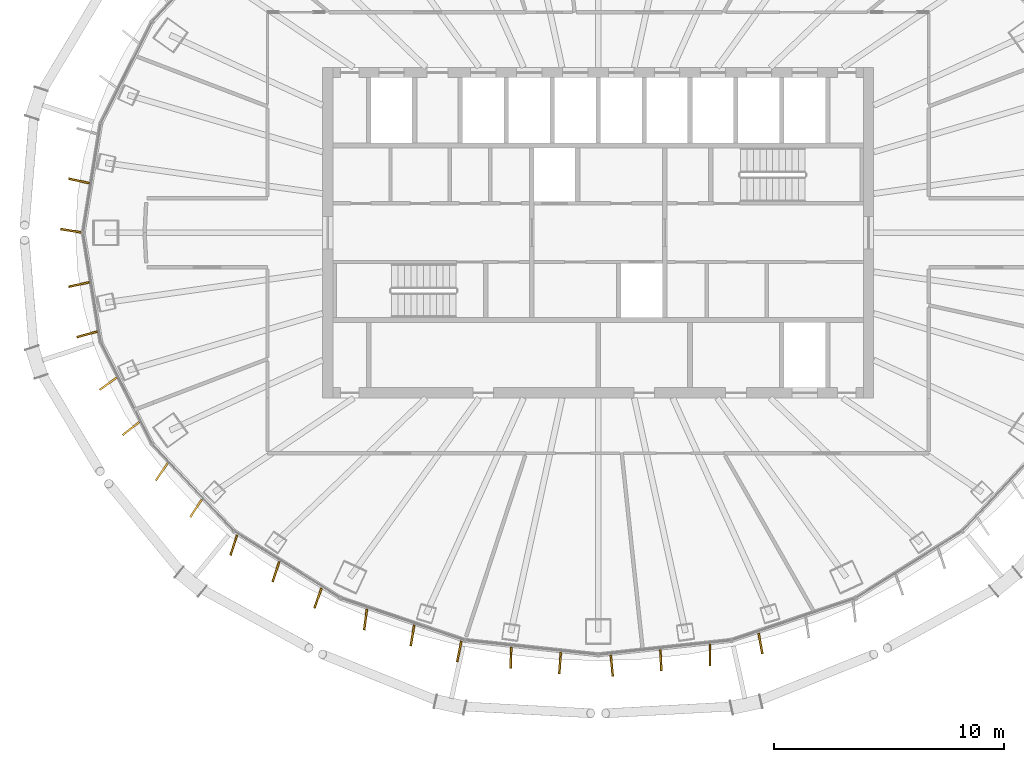
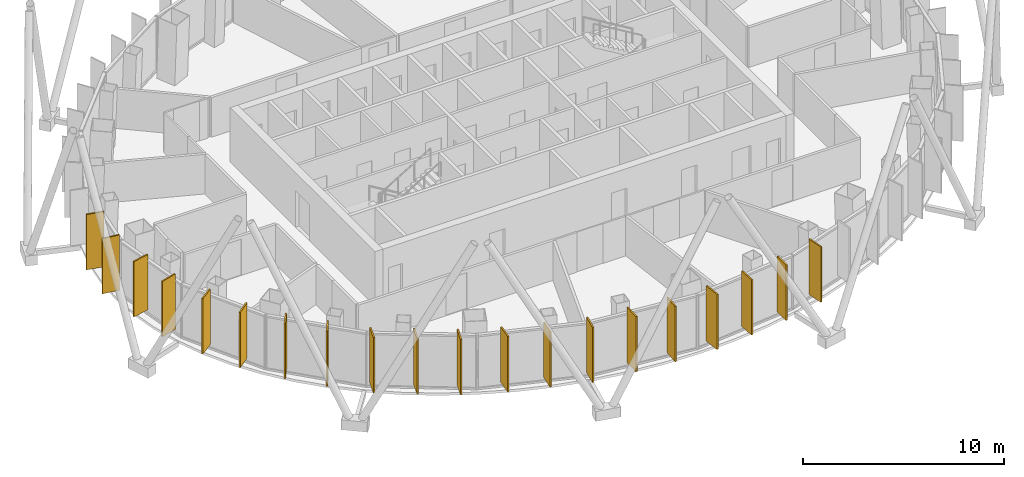
# One storey, part 15 of 18: 20 shading devices.
"""IFC4 building model written with IfcOpenShell, lengths in metres."""

from ifc_helpers import new_model, si_unit, direction, frame, origin, origin_2d, place, context, subcontext, project, spatial, rectangle, extrude, material, layer, layer_set, type_object, element, save


model = new_model("IFC4")

# Units and contexts
model_context = context("Model", 3, precision=1e-05, world=origin(), true_north=direction((0.0, 1.0)))
body_context = subcontext(model_context, "Body", "Model", "MODEL_VIEW")
ifc_project = project(units=[si_unit("LENGTHUNIT", "METRE"), si_unit("AREAUNIT", "SQUARE_METRE"), si_unit("VOLUMEUNIT", "CUBIC_METRE"), si_unit("PLANEANGLEUNIT", "RADIAN"), si_unit("MASSUNIT", "GRAM", prefix="KILO")], contexts=[model_context])

# Site, building, storey
site_placement = place(None, origin())
site = spatial("IfcSite", under=ifc_project, at=site_placement, CompositionType="ELEMENT")
building_placement = place(site_placement, origin())
building = spatial("IfcBuilding", under=site, at=building_placement, Name="Siaravel Broadcast Tower", CompositionType="ELEMENT")
storey_placement = place(building_placement, frame((0.0, 0.0, 201.5)))
storey = spatial("IfcBuildingStorey", under=building, at=storey_placement, Name="L49", CompositionType="ELEMENT", Elevation=201.5)

# Shading devices
ifc_material = material(Name="Bronze anodised aluminium", Category="aluminium")
ifc_layer = layer(ifc_material, 0.080078125)
ifc_layer_set = layer_set([ifc_layer], Name="Bronze anodised aluminium")
shading_device_type = type_object("IfcShadingDeviceType", Name="Bronze fin zone 3", PredefinedType="USERDEFINED", material=ifc_layer_set)
for number, where, z_axis, x_axis, name in (
    (1, (-22.607666015625, 2.255615234375, 0.300048828125), (0.0, 0.0, 1.0), (-0.97665691, 0.214805216, 0.0), "Bronze fin L49-29"),
    (2, (-22.957275390625, 0.08544921875, 0.300048828125), (0.0, 0.0, 1.0), (-0.987329475, 0.15868367, 0.0), "Bronze fin L49-30"),
    (3, (-22.607666015625, -2.255615234375, 0.300048828125), (0.0, 0.0, 1.0), (-0.97665691, -0.214805216, 0.0), "Bronze fin L49-31"),
    (4, (-22.257080078125, -4.424072265625, 0.300048828125), (0.0, 0.0, 1.0), (-0.963606662, -0.267324149, 0.0), "Bronze fin L49-32"),
    (5, (-21.33837890625, -6.576904296875, 0.300048828125), (0.0, 0.0, 1.0), (-0.810346508, -0.585950968, 0.0), "Bronze fin L49-33"),
    (6, (-20.347900390625, -8.529296875, 0.300048828125), (0.0, 0.0, 1.0), (-0.787275212, -0.616601768, 0.0), "Bronze fin L49-34"),
    (7, (-19.001708984375, -10.40869140625, 0.300048828125), (0.0, 0.0, 1.0), (-0.560102694, -0.828423184, 0.0), "Bronze fin L49-35"),
    (8, (-17.5107421875, -11.998046875, 0.300048828125), (0.0, 0.0, 1.0), (-0.54669105, -0.837334399, 0.0), "Bronze fin L49-36"),
    (9, (-15.869873046875, -13.6083984375, 0.300048828125), (0.0, 0.0, 1.0), (-0.311567156, -0.950224135, 0.0), "Bronze fin L49-37"),
    (10, (-14.03369140625, -14.76318359375, 0.300048828125), (0.0, 0.0, 1.0), (-0.31747513, -0.948266598, 0.0), "Bronze fin L49-38"),
    (11, (-12.2021484375, -15.91650390625, 0.300048828125), (0.0, 0.0, 1.0), (-0.333066407, -0.942903372, 0.0), "Bronze fin L49-39"),
    (12, (-10.130126953125, -16.84326171875, 0.300048828125), (0.0, 0.0, 1.0), (-0.130233749, -0.991483318, 0.0), "Bronze fin L49-40"),
    (13, (-8.08837890625, -17.538818359375, 0.300048828125), (0.0, 0.0, 1.0), (-0.162626833, -0.986687647, 0.0), "Bronze fin L49-41"),
    (14, (-6.04931640625, -18.2333984375, 0.300048828125), (0.0, 0.0, 1.0), (-0.20102834, -0.979585426, 0.0), "Bronze fin L49-42"),
    (15, (-3.799072265625, -18.508544921875, 0.300048828125), (0.0, 0.0, 1.0), (-0.025674462, -0.999670357, 0.0), "Bronze fin L49-43"),
    (16, (-1.660888671875, -18.740234375, 0.300048828125), (0.0, 0.0, 1.0), (-0.071937876, -0.997409115, 0.0), "Bronze fin L49-44"),
    (17, (0.592041015625, -18.855712890625, 0.300048828125), (0.0, 0.0, 1.0), (0.095489601, -0.995430428, 0.0), "Bronze fin L49-45"),
    (18, (2.72998046875, -18.62451171875, 0.300048828125), (0.0, 0.0, 1.0), (0.048548186, -0.998820842, 0.0), "Bronze fin L49-46"),
    (19, (4.86865234375, -18.39208984375, 0.300048828125), (0.0, 0.0, 1.0), (0.003652966, -0.999993328, 0.0), "Bronze fin L49-47"),
    (20, (7.068603515625, -17.88623046875, 0.300048828125), (0.0, 0.0, 1.0), (0.18123151, -0.983440461, 0.0), "Bronze fin L49-48"),
):
    element("IfcShadingDevice", number, at=place(storey_placement, frame(where, z_axis=z_axis, x_axis=x_axis)), inside=storey, type_object=shading_device_type, Name=name, ObjectType="FIN", PredefinedType="USERDEFINED", context=body_context, shape_type="SweptSolid", body=[
        extrude(rectangle(XDim=0.919921875, YDim=0.080078125, at=origin_2d()), origin(), (0.0, 0.0, 1.0), 3.35009765625),
    ])

save(model, "model.ifc")
